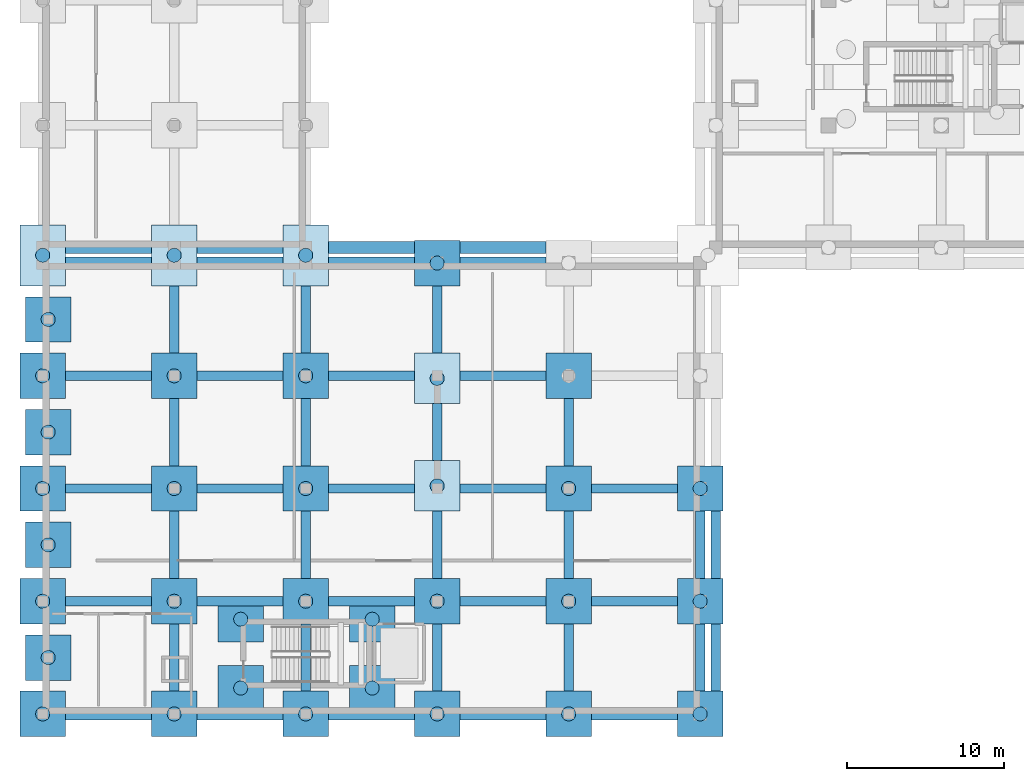
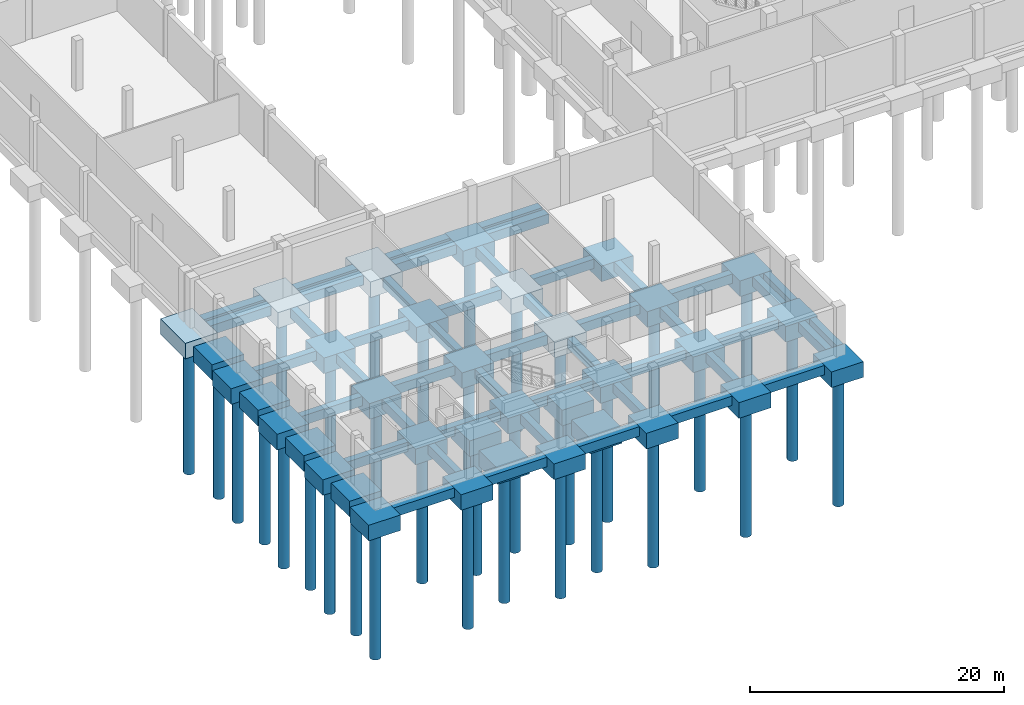
# One storey, part 1 of 29: 81 footings, 34 piles.
"""IFC4 building model written with IfcOpenShell, lengths in metres."""

import ifcopenshell
import ifcopenshell.guid

model = None  # the IFC model being written
_history = None  # IfcOwnerHistory: only IFC2X3 demands one
_inside = {}  # id of a spatial element -> (the spatial element, [elements in it])
_under = {}  # id of a project, library or spatial element -> (it, [spatial elements below it])
_declared = {}  # id of a project -> (the project, [libraries it declares])
_typed = {}  # id of a type object -> (the type object, [elements of that type])
_made_of = {}  # id of a material, layer set ... -> (it, [elements and type objects made of it])


def new_model(schema):
    """Start an empty IFC model of exactly this schema.

    Asked for "IFC4X3", IfcOpenShell would pick the latest addendum, in which some entities
    have other attributes; the version numbers below select the first issue.
    IFC2X3 requires an IfcOwnerHistory on every rooted entity: one is made here for all.
    """
    global model, _history
    if schema == "IFC4X3":
        model = ifcopenshell.file(schema_version=(4, 3, 0, 0))
    else:
        model = ifcopenshell.file(schema=schema)
    _inside.clear()
    _under.clear()
    _declared.clear()
    _typed.clear()
    _made_of.clear()
    _history = None
    if model.schema == "IFC2X3":
        org = make("IfcOrganization", Name="unknown")
        user = make(
            "IfcPersonAndOrganization",
            ThePerson=make("IfcPerson", FamilyName="unknown"),
            TheOrganization=org,
        )
        app = make(
            "IfcApplication",
            ApplicationDeveloper=org,
            Version="unknown",
            ApplicationFullName="unknown",
            ApplicationIdentifier="unknown",
        )
        _history = make(
            "IfcOwnerHistory",
            OwningUser=user,
            OwningApplication=app,
            ChangeAction="ADDED",
            CreationDate=0,
        )
    return model


def make(cls, **values):
    """One entity of the class cls with the attributes given. An attribute that is None is left unset."""
    return model.create_entity(
        cls, **{name: value for name, value in values.items() if value is not None}
    )


def rooted(cls, **values):
    """An entity with a GlobalId (a new one), such as an element, a storey or a relation."""
    return make(cls, GlobalId=ifcopenshell.guid.new(), OwnerHistory=_history, **values)


def si_unit(unit_type, name, prefix=None):
    """IfcSIUnit, for example si_unit("LENGTHUNIT", "METRE", prefix="MILLI")."""
    return make("IfcSIUnit", UnitType=unit_type, Prefix=prefix, Name=name)


def assignment(units):
    """IfcUnitAssignment: the units of a project."""
    return None if units is None else make("IfcUnitAssignment", Units=units)


def point(xyz):
    """IfcCartesianPoint."""
    return None if xyz is None else make("IfcCartesianPoint", Coordinates=xyz)


def direction(xyz):
    """IfcDirection."""
    return None if xyz is None else make("IfcDirection", DirectionRatios=xyz)


def frame(location, z_axis=None, x_axis=None):
    """IfcAxis2Placement3D, a coordinate frame: its origin and axes. An axis left out is left unset."""
    return make(
        "IfcAxis2Placement3D",
        Location=point(location),
        Axis=direction(z_axis),
        RefDirection=direction(x_axis),
    )


def frame_2d(location, x_axis=None):
    """IfcAxis2Placement2D, a coordinate frame in the plane: its origin and x axis."""
    return make(
        "IfcAxis2Placement2D", Location=point(location), RefDirection=direction(x_axis)
    )


def origin():
    """The frame at (0, 0, 0) with its axes left unset."""
    return frame((0.0, 0.0, 0.0))


def origin_2d():
    """The frame at (0, 0) in the plane with its x axis left unset."""
    return frame_2d((0.0, 0.0))


def place(relative_to, where):
    """IfcLocalPlacement: puts the frame where relative to a parent placement (None: the world)."""
    return make(
        "IfcLocalPlacement", PlacementRelTo=relative_to, RelativePlacement=where
    )


def context(
    kind, dimensions, precision=None, world=None, true_north=None, identifier=None
):
    """IfcGeometricRepresentationContext, for example the 3D "Model" context."""
    return make(
        "IfcGeometricRepresentationContext",
        ContextIdentifier=identifier,
        ContextType=kind,
        CoordinateSpaceDimension=dimensions,
        Precision=precision,
        WorldCoordinateSystem=world,
        TrueNorth=true_north,
    )


def subcontext(parent, identifier, kind, view, scale=None):
    """IfcGeometricRepresentationSubContext, for example "Body" below "Model"."""
    return make(
        "IfcGeometricRepresentationSubContext",
        ContextIdentifier=identifier,
        ContextType=kind,
        ParentContext=parent,
        TargetScale=scale,
        TargetView=view,
    )


def project(units=None, contexts=None):
    """IfcProject with its units and contexts."""
    return rooted(
        "IfcProject",
        Name="project",
        RepresentationContexts=contexts,
        UnitsInContext=assignment(units),
    )


def spatial(cls, under=None, at=None, **own):
    """A site, building, storey or space (cls), placed at a placement, below another one or the project."""
    s = rooted(cls, ObjectPlacement=at, **own)
    if under is not None:
        _under.setdefault(under.id(), (under, []))[1].append(s)
    return s


def polyline(points):
    """IfcPolyline through the points."""
    return make("IfcPolyline", Points=[point(p) for p in points])


def profile(cls, at=None, kind="AREA", **sizes):
    """A parametric profile (cls). Its sizes go by their IFC names, for example OverallWidth=200.0."""
    return make(cls, ProfileType=kind, Position=at, **sizes)


def rectangle(**sizes):
    """IfcRectangleProfileDef."""
    return profile("IfcRectangleProfileDef", **sizes)


def circle(**sizes):
    """IfcCircleProfileDef."""
    return profile("IfcCircleProfileDef", **sizes)


def outline(outer, holes=None, kind="AREA"):
    """IfcArbitraryClosedProfileDef: a profile drawn as a closed curve; with holes, ...WithVoids."""
    if holes is None:
        return make("IfcArbitraryClosedProfileDef", ProfileType=kind, OuterCurve=outer)
    return make(
        "IfcArbitraryProfileDefWithVoids",
        ProfileType=kind,
        OuterCurve=outer,
        InnerCurves=holes,
    )


def extrude(swept, where, along, depth):
    """IfcExtrudedAreaSolid: the profile swept, set in the frame where, extruded along a direction by depth."""
    return make(
        "IfcExtrudedAreaSolid",
        SweptArea=swept,
        Position=where,
        ExtrudedDirection=direction(along),
        Depth=depth,
    )


def shape(context_of_items, identifier, shape_type, items):
    """IfcShapeRepresentation: the items that make up one representation, for example the "Body"."""
    return make(
        "IfcShapeRepresentation",
        ContextOfItems=context_of_items,
        RepresentationIdentifier=identifier,
        RepresentationType=shape_type,
        Items=items,
    )


def material(Name=None, Category=None):
    """IfcMaterial."""
    return make("IfcMaterial", Name=Name, Category=Category)


def material_profile(
    of_material, cross_section, Name=None, Category=None, Priority=None
):
    """IfcMaterialProfile: a cross section and its material."""
    return make(
        "IfcMaterialProfile",
        Name=Name,
        Material=of_material,
        Profile=cross_section,
        Priority=Priority,
        Category=Category,
    )


def profile_set(profiles, Name=None, composite=None):
    """IfcMaterialProfileSet."""
    return make(
        "IfcMaterialProfileSet",
        Name=Name,
        MaterialProfiles=profiles,
        CompositeProfile=composite,
    )


def made_of(thing, what):
    """Note that an element or type object is made of a material, layer set ...; save() writes the relation."""
    if what is not None:
        _made_of.setdefault(what.id(), (what, []))[1].append(thing)
    return thing


def type_object(cls, material=None, **own):
    """A type object (cls), such as IfcWallType, which elements share."""
    return made_of(rooted(cls, **own), material)


def element(
    cls,
    number,
    at=None,
    inside=None,
    cuts=None,
    type_object=None,
    material=None,
    context=None,
    identifier="Body",
    shape_type=None,
    held_by="IfcProductDefinitionShape",
    body=None,
    shapes=None,
    **own,
):
    """One element of the class cls, such as IfcWall. Its Tag is "e" and its number.

    at: its placement. inside: the storey or other place that contains it. cuts: it is an
    opening in that element (IfcRelVoidsElement). A single representation is given by context,
    identifier, shape_type and body (its items); several are given by shapes. held_by: the class
    of the entity that holds the representations. save() writes the other relations.
    """
    e = rooted(cls, Tag="e%d" % number, ObjectPlacement=at, **own)
    if body is not None:
        shapes = [shape(context, identifier, shape_type, body)]
    if shapes is not None:
        e.Representation = make(held_by, Representations=shapes)
    if inside is not None:
        _inside.setdefault(inside.id(), (inside, []))[1].append(e)
    if cuts is not None:
        rooted(
            "IfcRelVoidsElement", RelatingBuildingElement=cuts, RelatedOpeningElement=e
        )
    if type_object is not None:
        _typed.setdefault(type_object.id(), (type_object, []))[1].append(e)
    return made_of(e, material)


def aggregate(whole, parts):
    """IfcRelAggregates: a whole, such as a stair, and the parts it consists of."""
    return rooted("IfcRelAggregates", RelatingObject=whole, RelatedObjects=parts)


def save(model, path):
    """Write the relations noted so far, then the file.

    IfcRelAggregates (storeys below a building ...), IfcRelContainedInSpatialStructure (elements
    in a storey), IfcRelDefinesByType, IfcRelAssociatesMaterial and IfcRelDeclares: one each for
    every whole, place, type object, material and project.
    """
    for whole, parts in _under.values():
        aggregate(whole, parts)
    for where, things in _inside.values():
        rooted(
            "IfcRelContainedInSpatialStructure",
            RelatedElements=things,
            RelatingStructure=where,
        )
    for kind, things in _typed.values():
        rooted("IfcRelDefinesByType", RelatedObjects=things, RelatingType=kind)
    for what, things in _made_of.values():
        rooted("IfcRelAssociatesMaterial", RelatedObjects=things, RelatingMaterial=what)
    for by, libraries in _declared.values():
        rooted("IfcRelDeclares", RelatingContext=by, RelatedDefinitions=libraries)
    model.write(path)


model = new_model("IFC4")

# Units and contexts
model_context = context("Model", 3, precision=1e-05, world=origin(), true_north=direction((0.0, 1.0)))
body_context = subcontext(model_context, "Body", "Model", "MODEL_VIEW")
ifc_project = project(units=[si_unit("LENGTHUNIT", "METRE"), si_unit("AREAUNIT", "SQUARE_METRE"), si_unit("VOLUMEUNIT", "CUBIC_METRE"), si_unit("PLANEANGLEUNIT", "RADIAN"), si_unit("MASSUNIT", "GRAM", prefix="KILO")], contexts=[model_context])

# Site, building, storey
site_placement = place(None, origin())
site = spatial("IfcSite", under=ifc_project, at=site_placement, CompositionType="ELEMENT")
building_placement = place(site_placement, origin())
building = spatial("IfcBuilding", under=site, at=building_placement, Name="Kelarvand Opera House", CompositionType="ELEMENT")
storey_placement = place(building_placement, frame((0.0, 0.0, -9.60009765625)))
storey = spatial("IfcBuildingStorey", under=building, at=storey_placement, Name="B2", CompositionType="ELEMENT", Elevation=-9.60009765625)

# Piles
ifc_material = material(Name="Concrete C40/50", Category="concrete")
ifc_material_profile = material_profile(ifc_material, circle(Radius=0.449951171875, at=origin_2d()), Name="BP 900", Category="concrete")
ifc_profile_set = profile_set([ifc_material_profile], Name="Concrete C40/50")
pile_type = type_object("IfcPileType", Name="Bored Pile 900 Concrete C40/50", PredefinedType="BORED", material=ifc_profile_set)
for number, where, z_axis, x_axis, name in (
    (1, (9.0, 9.0, -1.7998046875), (0.0, 0.0, -1.0), (1.0, 0.0, 0.0), "V4 Bored Pile 1"),
    (2, (17.39990234375, 9.0, -1.7998046875), (0.0, 0.0, -1.0), (1.0, 0.0, 0.0), "V4 Bored Pile 2"),
    (3, (25.800048828125, 9.0, -1.7998046875), (0.0, 0.0, -1.0), (1.0, 0.0, 0.0), "V4 Bored Pile 3"),
    (4, (34.199951171875, 9.0, -1.7998046875), (0.0, 0.0, -1.0), (1.0, 0.0, 0.0), "V4 Bored Pile 4"),
    (5, (42.60009765625, 9.0, -1.7998046875), (0.0, 0.0, -1.0), (1.0, 0.0, 0.0), "V4 Bored Pile 5"),
    (6, (51.0, 9.0, -1.7998046875), (0.0, 0.0, -1.0), (1.0, 0.0, 0.0), "V4 Bored Pile 6"),
    (7, (21.64990234375, 10.64990234375, -1.7998046875), (0.0, 0.0, -1.0), (1.0, 0.0, 0.0), "V4 Bored Pile 25"),
    (8, (30.050048828125, 10.64990234375, -1.7998046875), (0.0, 0.0, -1.0), (1.0, 0.0, 0.0), "V4 Bored Pile 26"),
    (9, (9.35009765625, 12.60009765625, -1.7998046875), (0.0, 0.0, -1.0), (1.0, 0.0, 0.0), "V4 Bored Pile 27"),
    (10, (21.64990234375, 15.050048828125, -1.7998046875), (0.0, 0.0, -1.0), (1.0, 0.0, 0.0), "V4 Bored Pile 28"),
    (11, (30.050048828125, 15.050048828125, -1.7998046875), (0.0, 0.0, -1.0), (1.0, 0.0, 0.0), "V4 Bored Pile 29"),
    (12, (9.0, 16.199951171875, -1.7998046875), (0.0, 0.0, -1.0), (1.0, 0.0, 0.0), "V4 Bored Pile 33"),
    (13, (17.39990234375, 16.199951171875, -1.7998046875), (0.0, 0.0, -1.0), (1.0, 0.0, 0.0), "V4 Bored Pile 34"),
    (14, (25.800048828125, 16.199951171875, -1.7998046875), (0.0, 0.0, -1.0), (1.0, 0.0, 0.0), "V4 Bored Pile 35"),
    (15, (34.199951171875, 16.199951171875, -1.7998046875), (0.0, 0.0, -1.0), (1.0, 0.0, 0.0), "V4 Bored Pile 36"),
    (16, (42.60009765625, 16.199951171875, -1.7998046875), (0.0, 0.0, -1.0), (1.0, 0.0, 0.0), "V4 Bored Pile 37"),
    (17, (51.0, 16.199951171875, -1.7998046875), (0.0, 0.0, -1.0), (1.0, 0.0, 0.0), "V4 Bored Pile 38"),
    (18, (9.35009765625, 19.800048828125, -1.7998046875), (0.0, 0.0, -1.0), (1.0, 0.0, 0.0), "V4 Bored Pile 50"),
    (19, (9.0, 23.39990234375, -1.7998046875), (0.0, 0.0, -1.0), (1.0, 0.0, 0.0), "V4 Bored Pile 51"),
    (20, (17.39990234375, 23.39990234375, -1.7998046875), (0.0, 0.0, -1.0), (1.0, 0.0, 0.0), "V4 Bored Pile 52"),
    (21, (25.800048828125, 23.39990234375, -1.7998046875), (0.0, 0.0, -1.0), (1.0, 0.0, 0.0), "V4 Bored Pile 53"),
    (22, (34.199951171875, 23.56494140625, -1.7998046875), (0.0, 0.0, -1.0), (1.0, 0.0, 0.0), "V4 Bored Pile 54"),
    (23, (42.60009765625, 23.39990234375, -1.7998046875), (0.0, 0.0, -1.0), (1.0, 0.0, 0.0), "V4 Bored Pile 55"),
    (24, (51.0, 23.39990234375, -1.7998046875), (0.0, 0.0, -1.0), (1.0, 0.0, 0.0), "V4 Bored Pile 56"),
    (25, (9.35009765625, 27.0, -1.7998046875), (0.0, 0.0, -1.0), (1.0, 0.0, 0.0), "V4 Bored Pile 70"),
    (26, (34.199951171875, 30.43505859375, -1.7998046875), (0.0, 0.0, -1.0), (1.0, 0.0, 0.0), "V4 Bored Pile 71"),
    (27, (9.0, 30.60009765625, -1.7998046875), (0.0, 0.0, -1.0), (1.0, 0.0, 0.0), "V4 Bored Pile 73"),
    (28, (17.39990234375, 30.60009765625, -1.7998046875), (0.0, 0.0, -1.0), (1.0, 0.0, 0.0), "V4 Bored Pile 74"),
    (29, (25.800048828125, 30.60009765625, -1.7998046875), (0.0, 0.0, -1.0), (1.0, 0.0, 0.0), "V4 Bored Pile 75"),
    (30, (9.35009765625, 34.199951171875, -1.7998046875), (0.0, 0.0, -1.0), (1.0, 0.0, 0.0), "V4 Bored Pile 90"),
    (31, (9.0, 38.300048828125, -1.7998046875), (0.0, 0.0, -1.0), (1.0, 0.0, 0.0), "V4 Bored Pile 91"),
    (32, (17.39990234375, 38.300048828125, -1.7998046875), (0.0, 0.0, -1.0), (1.0, 0.0, 0.0), "V4 Bored Pile 92"),
    (33, (25.800048828125, 38.300048828125, -1.7998046875), (0.0, 0.0, -1.0), (1.0, 0.0, 0.0), "V4 Bored Pile 93"),
    (34, (34.199951171875, 37.800048828125, -1.7998046875), (0.0, 0.0, -1.0), (1.0, 0.0, 0.0), "V4 Bored Pile 94"),
):
    element("IfcPile", number, at=place(storey_placement, frame(where, z_axis=z_axis, x_axis=x_axis)), inside=storey, type_object=pile_type, Name=name, PredefinedType="BORED", context=body_context, shape_type="SweptSolid", body=[
        extrude(circle(Radius=0.449951171875, at=origin_2d()), origin(), (0.0, 0.0, 1.0), 12.60009765625),
    ])

# Footings
footing_type_1 = type_object("IfcFootingType", Name="Ground Tie Beam 600x900 Concrete C40/50", PredefinedType="FOOTING_BEAM", material=ifc_material)
footing_1_placement = place(storey_placement, frame((0.0, 0.0, -1.2998046875)))
element("IfcFooting", 35, at=footing_1_placement, inside=storey, type_object=footing_type_1, Name="Ground Beam 18", PredefinedType="FOOTING_BEAM", context=body_context, shape_type="SweptSolid", body=[
    extrude(outline(polyline([(10.449951171875, 15.89990234375), (15.949951171875, 15.89990234375), (15.949951171875, 16.5), (10.449951171875, 16.5), (10.449951171875, 15.89990234375)])), origin(), (0.0, 0.0, 1.0), 0.89990234375),
])
footing_2_placement = place(storey_placement, frame((0.0, 0.0, -1.2998046875)))
element("IfcFooting", 36, at=footing_2_placement, inside=storey, type_object=footing_type_1, Name="Ground Beam 19", PredefinedType="FOOTING_BEAM", context=body_context, shape_type="SweptSolid", body=[
    extrude(outline(polyline([(18.85009765625, 15.89990234375), (24.35009765625, 15.89990234375), (24.35009765625, 16.5), (18.85009765625, 16.5), (18.85009765625, 15.89990234375)])), origin(), (0.0, 0.0, 1.0), 0.89990234375),
])
footing_3_placement = place(storey_placement, frame((0.0, 0.0, -1.2998046875)))
element("IfcFooting", 37, at=footing_3_placement, inside=storey, type_object=footing_type_1, Name="Ground Beam 20", PredefinedType="FOOTING_BEAM", context=body_context, shape_type="SweptSolid", body=[
    extrude(outline(polyline([(27.25, 15.89990234375), (32.75, 15.89990234375), (32.75, 16.5), (27.25, 16.5), (27.25, 15.89990234375)])), origin(), (0.0, 0.0, 1.0), 0.89990234375),
])
footing_4_placement = place(storey_placement, frame((0.0, 0.0, -1.2998046875)))
element("IfcFooting", 38, at=footing_4_placement, inside=storey, type_object=footing_type_1, Name="Ground Beam 21", PredefinedType="FOOTING_BEAM", context=body_context, shape_type="SweptSolid", body=[
    extrude(outline(polyline([(35.64990234375, 15.89990234375), (41.14990234375, 15.89990234375), (41.14990234375, 16.5), (35.64990234375, 16.5), (35.64990234375, 15.89990234375)])), origin(), (0.0, 0.0, 1.0), 0.89990234375),
])
footing_5_placement = place(storey_placement, frame((0.0, 0.0, -1.2998046875)))
element("IfcFooting", 39, at=footing_5_placement, inside=storey, type_object=footing_type_1, Name="Ground Beam 22", PredefinedType="FOOTING_BEAM", context=body_context, shape_type="SweptSolid", body=[
    extrude(outline(polyline([(44.050048828125, 15.89990234375), (49.550048828125, 15.89990234375), (49.550048828125, 16.5), (44.050048828125, 16.5), (44.050048828125, 15.89990234375)])), origin(), (0.0, 0.0, 1.0), 0.89990234375),
])
footing_6_placement = place(storey_placement, frame((0.0, 0.0, -1.2998046875)))
element("IfcFooting", 40, at=footing_6_placement, inside=storey, type_object=footing_type_1, Name="Ground Beam 35", PredefinedType="FOOTING_BEAM", context=body_context, shape_type="SweptSolid", body=[
    extrude(outline(polyline([(10.449951171875, 23.10009765625), (15.949951171875, 23.10009765625), (15.949951171875, 23.699951171875), (10.449951171875, 23.699951171875), (10.449951171875, 23.10009765625)])), origin(), (0.0, 0.0, 1.0), 0.89990234375),
])
footing_7_placement = place(storey_placement, frame((0.0, 0.0, -1.2998046875)))
element("IfcFooting", 41, at=footing_7_placement, inside=storey, type_object=footing_type_1, Name="Ground Beam 36", PredefinedType="FOOTING_BEAM", context=body_context, shape_type="SweptSolid", body=[
    extrude(outline(polyline([(18.85009765625, 23.10009765625), (24.35009765625, 23.10009765625), (24.35009765625, 23.699951171875), (18.85009765625, 23.699951171875), (18.85009765625, 23.10009765625)])), origin(), (0.0, 0.0, 1.0), 0.89990234375),
])
footing_8_placement = place(storey_placement, frame((0.0, 0.0, -1.2998046875)))
element("IfcFooting", 42, at=footing_8_placement, inside=storey, type_object=footing_type_1, Name="Ground Beam 37", PredefinedType="FOOTING_BEAM", context=body_context, shape_type="SweptSolid", body=[
    extrude(outline(polyline([(27.25, 23.10009765625), (32.75, 23.10009765625), (32.75, 23.699951171875), (27.25, 23.699951171875), (27.25, 23.10009765625)])), origin(), (0.0, 0.0, 1.0), 0.89990234375),
])
footing_9_placement = place(storey_placement, frame((0.0, 0.0, -1.2998046875)))
element("IfcFooting", 43, at=footing_9_placement, inside=storey, type_object=footing_type_1, Name="Ground Beam 38", PredefinedType="FOOTING_BEAM", context=body_context, shape_type="SweptSolid", body=[
    extrude(outline(polyline([(35.64990234375, 23.10009765625), (41.14990234375, 23.10009765625), (41.14990234375, 23.699951171875), (35.64990234375, 23.699951171875), (35.64990234375, 23.10009765625)])), origin(), (0.0, 0.0, 1.0), 0.89990234375),
])
footing_10_placement = place(storey_placement, frame((0.0, 0.0, -1.2998046875)))
element("IfcFooting", 44, at=footing_10_placement, inside=storey, type_object=footing_type_1, Name="Ground Beam 39", PredefinedType="FOOTING_BEAM", context=body_context, shape_type="SweptSolid", body=[
    extrude(outline(polyline([(44.050048828125, 23.10009765625), (49.550048828125, 23.10009765625), (49.550048828125, 23.699951171875), (44.050048828125, 23.699951171875), (44.050048828125, 23.10009765625)])), origin(), (0.0, 0.0, 1.0), 0.89990234375),
])
footing_11_placement = place(storey_placement, frame((0.0, 0.0, -1.2998046875)))
element("IfcFooting", 45, at=footing_11_placement, inside=storey, type_object=footing_type_1, Name="Ground Beam 52", PredefinedType="FOOTING_BEAM", context=body_context, shape_type="SweptSolid", body=[
    extrude(outline(polyline([(10.449951171875, 30.300048828125), (15.949951171875, 30.300048828125), (15.949951171875, 30.89990234375), (10.449951171875, 30.89990234375), (10.449951171875, 30.300048828125)])), origin(), (0.0, 0.0, 1.0), 0.89990234375),
])
footing_12_placement = place(storey_placement, frame((0.0, 0.0, -1.2998046875)))
element("IfcFooting", 46, at=footing_12_placement, inside=storey, type_object=footing_type_1, Name="Ground Beam 53", PredefinedType="FOOTING_BEAM", context=body_context, shape_type="SweptSolid", body=[
    extrude(outline(polyline([(18.85009765625, 30.300048828125), (24.35009765625, 30.300048828125), (24.35009765625, 30.89990234375), (18.85009765625, 30.89990234375), (18.85009765625, 30.300048828125)])), origin(), (0.0, 0.0, 1.0), 0.89990234375),
])
footing_13_placement = place(storey_placement, frame((0.0, 0.0, -1.2998046875)))
element("IfcFooting", 47, at=footing_13_placement, inside=storey, type_object=footing_type_1, Name="Ground Beam 54", PredefinedType="FOOTING_BEAM", context=body_context, shape_type="SweptSolid", body=[
    extrude(outline(polyline([(27.25, 30.300048828125), (32.75, 30.300048828125), (32.75, 30.89990234375), (27.25, 30.89990234375), (27.25, 30.300048828125)])), origin(), (0.0, 0.0, 1.0), 0.89990234375),
])
footing_14_placement = place(storey_placement, frame((0.0, 0.0, -1.2998046875)))
element("IfcFooting", 48, at=footing_14_placement, inside=storey, type_object=footing_type_1, Name="Ground Beam 55", PredefinedType="FOOTING_BEAM", context=body_context, shape_type="SweptSolid", body=[
    extrude(outline(polyline([(35.64990234375, 30.300048828125), (41.14990234375, 30.300048828125), (41.14990234375, 30.89990234375), (35.64990234375, 30.89990234375), (35.64990234375, 30.300048828125)])), origin(), (0.0, 0.0, 1.0), 0.89990234375),
])
footing_15_placement = place(storey_placement, frame((0.0, 0.0, -1.2998046875)))
element("IfcFooting", 49, at=footing_15_placement, inside=storey, type_object=footing_type_1, Name="Ground Beam 277", PredefinedType="FOOTING_BEAM", context=body_context, shape_type="SweptSolid", body=[
    extrude(outline(polyline([(17.10009765625, 10.449951171875), (17.699951171875, 10.449951171875), (17.699951171875, 14.75), (17.10009765625, 14.75), (17.10009765625, 10.449951171875)])), origin(), (0.0, 0.0, 1.0), 0.89990234375),
])
footing_16_placement = place(storey_placement, frame((0.0, 0.0, -1.2998046875)))
element("IfcFooting", 50, at=footing_16_placement, inside=storey, type_object=footing_type_1, Name="Ground Beam 278", PredefinedType="FOOTING_BEAM", context=body_context, shape_type="SweptSolid", body=[
    extrude(outline(polyline([(17.10009765625, 17.64990234375), (17.699951171875, 17.64990234375), (17.699951171875, 21.949951171875), (17.10009765625, 21.949951171875), (17.10009765625, 17.64990234375)])), origin(), (0.0, 0.0, 1.0), 0.89990234375),
])
footing_17_placement = place(storey_placement, frame((0.0, 0.0, -1.2998046875)))
element("IfcFooting", 51, at=footing_17_placement, inside=storey, type_object=footing_type_1, Name="Ground Beam 279", PredefinedType="FOOTING_BEAM", context=body_context, shape_type="SweptSolid", body=[
    extrude(outline(polyline([(17.10009765625, 24.85009765625), (17.699951171875, 24.85009765625), (17.699951171875, 29.14990234375), (17.10009765625, 29.14990234375), (17.10009765625, 24.85009765625)])), origin(), (0.0, 0.0, 1.0), 0.89990234375),
])
footing_18_placement = place(storey_placement, frame((0.0, 0.0, -1.2998046875)))
element("IfcFooting", 52, at=footing_18_placement, inside=storey, type_object=footing_type_1, Name="Ground Beam 280", PredefinedType="FOOTING_BEAM", context=body_context, shape_type="SweptSolid", body=[
    extrude(outline(polyline([(17.10009765625, 32.050048828125), (17.699951171875, 32.050048828125), (17.699951171875, 36.35009765625), (17.10009765625, 36.35009765625), (17.10009765625, 32.050048828125)])), origin(), (0.0, 0.0, 1.0), 0.89990234375),
])
footing_19_placement = place(storey_placement, frame((0.0, 0.0, -1.2998046875)))
element("IfcFooting", 53, at=footing_19_placement, inside=storey, type_object=footing_type_1, Name="Ground Beam 291", PredefinedType="FOOTING_BEAM", context=body_context, shape_type="SweptSolid", body=[
    extrude(outline(polyline([(25.5, 10.449951171875), (26.10009765625, 10.449951171875), (26.10009765625, 14.75), (25.5, 14.75), (25.5, 10.449951171875)])), origin(), (0.0, 0.0, 1.0), 0.89990234375),
])
footing_20_placement = place(storey_placement, frame((0.0, 0.0, -1.2998046875)))
element("IfcFooting", 54, at=footing_20_placement, inside=storey, type_object=footing_type_1, Name="Ground Beam 292", PredefinedType="FOOTING_BEAM", context=body_context, shape_type="SweptSolid", body=[
    extrude(outline(polyline([(25.5, 17.64990234375), (26.10009765625, 17.64990234375), (26.10009765625, 21.949951171875), (25.5, 21.949951171875), (25.5, 17.64990234375)])), origin(), (0.0, 0.0, 1.0), 0.89990234375),
])
footing_21_placement = place(storey_placement, frame((0.0, 0.0, -1.2998046875)))
element("IfcFooting", 55, at=footing_21_placement, inside=storey, type_object=footing_type_1, Name="Ground Beam 293", PredefinedType="FOOTING_BEAM", context=body_context, shape_type="SweptSolid", body=[
    extrude(outline(polyline([(25.5, 24.85009765625), (26.10009765625, 24.85009765625), (26.10009765625, 29.14990234375), (25.5, 29.14990234375), (25.5, 24.85009765625)])), origin(), (0.0, 0.0, 1.0), 0.89990234375),
])
footing_22_placement = place(storey_placement, frame((0.0, 0.0, -1.2998046875)))
element("IfcFooting", 56, at=footing_22_placement, inside=storey, type_object=footing_type_1, Name="Ground Beam 294", PredefinedType="FOOTING_BEAM", context=body_context, shape_type="SweptSolid", body=[
    extrude(outline(polyline([(25.5, 32.050048828125), (26.10009765625, 32.050048828125), (26.10009765625, 36.35009765625), (25.5, 36.35009765625), (25.5, 32.050048828125)])), origin(), (0.0, 0.0, 1.0), 0.89990234375),
])
footing_23_placement = place(storey_placement, frame((0.0, 0.0, -1.2998046875)))
element("IfcFooting", 57, at=footing_23_placement, inside=storey, type_object=footing_type_1, Name="Ground Beam 305", PredefinedType="FOOTING_BEAM", context=body_context, shape_type="SweptSolid", body=[
    extrude(outline(polyline([(33.89990234375, 10.449951171875), (34.5, 10.449951171875), (34.5, 14.75), (33.89990234375, 14.75), (33.89990234375, 10.449951171875)])), origin(), (0.0, 0.0, 1.0), 0.89990234375),
])
footing_24_placement = place(storey_placement, frame((0.0, 0.0, -1.2998046875)))
element("IfcFooting", 58, at=footing_24_placement, inside=storey, type_object=footing_type_1, Name="Ground Beam 306", PredefinedType="FOOTING_BEAM", context=body_context, shape_type="SweptSolid", body=[
    extrude(outline(polyline([(33.89990234375, 17.64990234375), (34.5, 17.64990234375), (34.5, 21.949951171875), (33.89990234375, 21.949951171875), (33.89990234375, 17.64990234375)])), origin(), (0.0, 0.0, 1.0), 0.89990234375),
])
footing_25_placement = place(storey_placement, frame((0.0, 0.0, -1.2998046875)))
element("IfcFooting", 59, at=footing_25_placement, inside=storey, type_object=footing_type_1, Name="Ground Beam 307", PredefinedType="FOOTING_BEAM", context=body_context, shape_type="SweptSolid", body=[
    extrude(outline(polyline([(33.89990234375, 25.179931640625), (34.5, 25.179931640625), (34.5, 28.820068359375), (33.89990234375, 28.820068359375), (33.89990234375, 25.179931640625)])), origin(), (0.0, 0.0, 1.0), 0.89990234375),
])
footing_26_placement = place(storey_placement, frame((0.0, 0.0, -1.2998046875)))
element("IfcFooting", 60, at=footing_26_placement, inside=storey, type_object=footing_type_1, Name="Ground Beam 308", PredefinedType="FOOTING_BEAM", context=body_context, shape_type="SweptSolid", body=[
    extrude(outline(polyline([(33.89990234375, 32.050048828125), (34.5, 32.050048828125), (34.5, 36.35009765625), (33.89990234375, 36.35009765625), (33.89990234375, 32.050048828125)])), origin(), (0.0, 0.0, 1.0), 0.89990234375),
])
footing_27_placement = place(storey_placement, frame((0.0, 0.0, -1.2998046875)))
element("IfcFooting", 61, at=footing_27_placement, inside=storey, type_object=footing_type_1, Name="Ground Beam 313", PredefinedType="FOOTING_BEAM", context=body_context, shape_type="SweptSolid", body=[
    extrude(outline(polyline([(42.300048828125, 10.449951171875), (42.89990234375, 10.449951171875), (42.89990234375, 14.75), (42.300048828125, 14.75), (42.300048828125, 10.449951171875)])), origin(), (0.0, 0.0, 1.0), 0.89990234375),
])
footing_28_placement = place(storey_placement, frame((0.0, 0.0, -1.2998046875)))
element("IfcFooting", 62, at=footing_28_placement, inside=storey, type_object=footing_type_1, Name="Ground Beam 314", PredefinedType="FOOTING_BEAM", context=body_context, shape_type="SweptSolid", body=[
    extrude(outline(polyline([(42.300048828125, 17.64990234375), (42.89990234375, 17.64990234375), (42.89990234375, 21.949951171875), (42.300048828125, 21.949951171875), (42.300048828125, 17.64990234375)])), origin(), (0.0, 0.0, 1.0), 0.89990234375),
])
footing_29_placement = place(storey_placement, frame((0.0, 0.0, -1.2998046875)))
element("IfcFooting", 63, at=footing_29_placement, inside=storey, type_object=footing_type_1, Name="Ground Beam 315", PredefinedType="FOOTING_BEAM", context=body_context, shape_type="SweptSolid", body=[
    extrude(outline(polyline([(42.300048828125, 24.85009765625), (42.89990234375, 24.85009765625), (42.89990234375, 29.14990234375), (42.300048828125, 29.14990234375), (42.300048828125, 24.85009765625)])), origin(), (0.0, 0.0, 1.0), 0.89990234375),
])
footing_30_placement = place(storey_placement, frame((0.0, 0.0, -1.2998046875)))
element("IfcFooting", 64, at=footing_30_placement, inside=storey, type_object=footing_type_1, Name="Ground Beam 321", PredefinedType="FOOTING_BEAM", context=body_context, shape_type="SweptSolid", body=[
    extrude(outline(polyline([(50.699951171875, 10.449951171875), (51.300048828125, 10.449951171875), (51.300048828125, 14.75), (50.699951171875, 14.75), (50.699951171875, 10.449951171875)])), origin(), (0.0, 0.0, 1.0), 0.89990234375),
])
footing_31_placement = place(storey_placement, frame((0.0, 0.0, -1.2998046875)))
element("IfcFooting", 65, at=footing_31_placement, inside=storey, type_object=footing_type_1, Name="Ground Beam 322", PredefinedType="FOOTING_BEAM", context=body_context, shape_type="SweptSolid", body=[
    extrude(outline(polyline([(50.699951171875, 17.64990234375), (51.300048828125, 17.64990234375), (51.300048828125, 21.949951171875), (50.699951171875, 21.949951171875), (50.699951171875, 17.64990234375)])), origin(), (0.0, 0.0, 1.0), 0.89990234375),
])
footing_32_placement = place(storey_placement, frame((0.0, 0.0, -1.2998046875)))
element("IfcFooting", 66, at=footing_32_placement, inside=storey, type_object=footing_type_1, Name="Ground Beam 335", PredefinedType="FOOTING_BEAM", context=body_context, shape_type="SweptSolid", body=[
    extrude(outline(polyline([(51.699951171875, 10.449951171875), (52.300048828125, 10.449951171875), (52.300048828125, 14.75), (51.699951171875, 14.75), (51.699951171875, 10.449951171875)])), origin(), (0.0, 0.0, 1.0), 0.89990234375),
])
footing_33_placement = place(storey_placement, frame((0.0, 0.0, -1.2998046875)))
element("IfcFooting", 67, at=footing_33_placement, inside=storey, type_object=footing_type_1, Name="Ground Beam 336", PredefinedType="FOOTING_BEAM", context=body_context, shape_type="SweptSolid", body=[
    extrude(outline(polyline([(51.699951171875, 17.64990234375), (52.300048828125, 17.64990234375), (52.300048828125, 21.949951171875), (51.699951171875, 21.949951171875), (51.699951171875, 17.64990234375)])), origin(), (0.0, 0.0, 1.0), 0.89990234375),
])
footing_type_2 = type_object("IfcFootingType", Name="Perimeter Strip Footing 750x900 Concrete C40/50", PredefinedType="STRIP_FOOTING", material=ifc_material)
footing_34_placement = place(storey_placement, frame((0.0, 0.0, -1.2998046875)))
element("IfcFooting", 68, at=footing_34_placement, inside=storey, type_object=footing_type_2, Name="Ground Beam 1", PredefinedType="STRIP_FOOTING", context=body_context, shape_type="SweptSolid", body=[
    extrude(outline(polyline([(10.449951171875, 8.625), (15.949951171875, 8.625), (15.949951171875, 9.375), (10.449951171875, 9.375), (10.449951171875, 8.625)])), origin(), (0.0, 0.0, 1.0), 0.89990234375),
])
footing_35_placement = place(storey_placement, frame((0.0, 0.0, -1.2998046875)))
element("IfcFooting", 69, at=footing_35_placement, inside=storey, type_object=footing_type_2, Name="Ground Beam 2", PredefinedType="STRIP_FOOTING", context=body_context, shape_type="SweptSolid", body=[
    extrude(outline(polyline([(18.85009765625, 8.625), (24.35009765625, 8.625), (24.35009765625, 9.375), (18.85009765625, 9.375), (18.85009765625, 8.625)])), origin(), (0.0, 0.0, 1.0), 0.89990234375),
])
footing_36_placement = place(storey_placement, frame((0.0, 0.0, -1.2998046875)))
element("IfcFooting", 70, at=footing_36_placement, inside=storey, type_object=footing_type_2, Name="Ground Beam 3", PredefinedType="STRIP_FOOTING", context=body_context, shape_type="SweptSolid", body=[
    extrude(outline(polyline([(27.25, 8.625), (32.75, 8.625), (32.75, 9.375), (27.25, 9.375), (27.25, 8.625)])), origin(), (0.0, 0.0, 1.0), 0.89990234375),
])
footing_37_placement = place(storey_placement, frame((0.0, 0.0, -1.2998046875)))
element("IfcFooting", 71, at=footing_37_placement, inside=storey, type_object=footing_type_2, Name="Ground Beam 4", PredefinedType="STRIP_FOOTING", context=body_context, shape_type="SweptSolid", body=[
    extrude(outline(polyline([(35.64990234375, 8.625), (41.14990234375, 8.625), (41.14990234375, 9.375), (35.64990234375, 9.375), (35.64990234375, 8.625)])), origin(), (0.0, 0.0, 1.0), 0.89990234375),
])
footing_38_placement = place(storey_placement, frame((0.0, 0.0, -1.2998046875)))
element("IfcFooting", 72, at=footing_38_placement, inside=storey, type_object=footing_type_2, Name="Ground Beam 5", PredefinedType="STRIP_FOOTING", context=body_context, shape_type="SweptSolid", body=[
    extrude(outline(polyline([(44.050048828125, 8.625), (49.550048828125, 8.625), (49.550048828125, 9.375), (44.050048828125, 9.375), (44.050048828125, 8.625)])), origin(), (0.0, 0.0, 1.0), 0.89990234375),
])
footing_39_placement = place(storey_placement, frame((0.0, 0.0, -1.2998046875)))
element("IfcFooting", 73, at=footing_39_placement, inside=storey, type_object=footing_type_2, Name="Ground Beam 69", PredefinedType="STRIP_FOOTING", context=body_context, shape_type="SweptSolid", body=[
    extrude(outline(polyline([(10.449951171875, 37.425048828125), (15.949951171875, 37.425048828125), (15.949951171875, 38.175048828125), (10.449951171875, 38.175048828125), (10.449951171875, 37.425048828125)])), origin(), (0.0, 0.0, 1.0), 0.89990234375),
])
footing_40_placement = place(storey_placement, frame((0.0, 0.0, -1.2998046875)))
element("IfcFooting", 74, at=footing_40_placement, inside=storey, type_object=footing_type_2, Name="Ground Beam 70", PredefinedType="STRIP_FOOTING", context=body_context, shape_type="SweptSolid", body=[
    extrude(outline(polyline([(18.85009765625, 37.425048828125), (24.35009765625, 37.425048828125), (24.35009765625, 38.175048828125), (18.85009765625, 38.175048828125), (18.85009765625, 37.425048828125)])), origin(), (0.0, 0.0, 1.0), 0.89990234375),
])
footing_41_placement = place(storey_placement, frame((0.0, 0.0, -1.2998046875)))
element("IfcFooting", 75, at=footing_41_placement, inside=storey, type_object=footing_type_2, Name="Ground Beam 71", PredefinedType="STRIP_FOOTING", context=body_context, shape_type="SweptSolid", body=[
    extrude(outline(polyline([(27.25, 37.425048828125), (32.75, 37.425048828125), (32.75, 38.175048828125), (27.25, 38.175048828125), (27.25, 37.425048828125)])), origin(), (0.0, 0.0, 1.0), 0.89990234375),
])
footing_42_placement = place(storey_placement, frame((0.0, 0.0, -1.2998046875)))
element("IfcFooting", 76, at=footing_42_placement, inside=storey, type_object=footing_type_2, Name="Ground Beam 72", PredefinedType="STRIP_FOOTING", context=body_context, shape_type="SweptSolid", body=[
    extrude(outline(polyline([(35.64990234375, 37.425048828125), (41.14990234375, 37.425048828125), (41.14990234375, 38.175048828125), (35.64990234375, 38.175048828125), (35.64990234375, 37.425048828125)])), origin(), (0.0, 0.0, 1.0), 0.89990234375),
])
footing_43_placement = place(storey_placement, frame((0.0, 0.0, -1.2998046875)))
element("IfcFooting", 77, at=footing_43_placement, inside=storey, type_object=footing_type_2, Name="Ground Beam 91", PredefinedType="STRIP_FOOTING", context=body_context, shape_type="SweptSolid", body=[
    extrude(outline(polyline([(10.449951171875, 38.425048828125), (15.949951171875, 38.425048828125), (15.949951171875, 39.175048828125), (10.449951171875, 39.175048828125), (10.449951171875, 38.425048828125)])), origin(), (0.0, 0.0, 1.0), 0.89990234375),
])
footing_44_placement = place(storey_placement, frame((0.0, 0.0, -1.2998046875)))
element("IfcFooting", 78, at=footing_44_placement, inside=storey, type_object=footing_type_2, Name="Ground Beam 92", PredefinedType="STRIP_FOOTING", context=body_context, shape_type="SweptSolid", body=[
    extrude(outline(polyline([(18.85009765625, 38.425048828125), (24.35009765625, 38.425048828125), (24.35009765625, 39.175048828125), (18.85009765625, 39.175048828125), (18.85009765625, 38.425048828125)])), origin(), (0.0, 0.0, 1.0), 0.89990234375),
])
footing_45_placement = place(storey_placement, frame((0.0, 0.0, -1.2998046875)))
element("IfcFooting", 79, at=footing_45_placement, inside=storey, type_object=footing_type_2, Name="Ground Beam 93", PredefinedType="STRIP_FOOTING", context=body_context, shape_type="SweptSolid", body=[
    extrude(outline(polyline([(27.25, 38.425048828125), (32.75, 38.425048828125), (32.75, 39.175048828125), (27.25, 39.175048828125), (27.25, 38.425048828125)])), origin(), (0.0, 0.0, 1.0), 0.89990234375),
])
footing_46_placement = place(storey_placement, frame((0.0, 0.0, -1.2998046875)))
element("IfcFooting", 80, at=footing_46_placement, inside=storey, type_object=footing_type_2, Name="Ground Beam 94", PredefinedType="STRIP_FOOTING", context=body_context, shape_type="SweptSolid", body=[
    extrude(outline(polyline([(35.64990234375, 38.425048828125), (41.14990234375, 38.425048828125), (41.14990234375, 39.175048828125), (35.64990234375, 39.175048828125), (35.64990234375, 38.425048828125)])), origin(), (0.0, 0.0, 1.0), 0.89990234375),
])
footing_type_3 = type_object("IfcFootingType", Name="Pile Cap 2900x2900x1500 PC-01", PredefinedType="PILE_CAP", material=ifc_material)
for number, where, z_axis, x_axis, name in (
    (81, (9.0, 9.0, -1.89990234375), (0.0, 0.0, 1.0), (1.0, 0.0, 0.0), "V4 Pile Cap PC-01 (1)"),
    (82, (17.39990234375, 9.0, -1.89990234375), (0.0, 0.0, 1.0), (1.0, 0.0, 0.0), "V4 Pile Cap PC-01 (2)"),
    (83, (25.800048828125, 9.0, -1.89990234375), (0.0, 0.0, 1.0), (1.0, 0.0, 0.0), "V4 Pile Cap PC-01 (3)"),
    (84, (34.199951171875, 9.0, -1.89990234375), (0.0, 0.0, 1.0), (1.0, 0.0, 0.0), "V4 Pile Cap PC-01 (4)"),
    (85, (42.60009765625, 9.0, -1.89990234375), (0.0, 0.0, 1.0), (1.0, 0.0, 0.0), "V4 Pile Cap PC-01 (5)"),
    (86, (51.0, 9.0, -1.89990234375), (0.0, 0.0, 1.0), (1.0, 0.0, 0.0), "V4 Pile Cap PC-01 (6)"),
    (87, (21.64990234375, 10.64990234375, -1.89990234375), (0.0, 0.0, 1.0), (1.0, 0.0, 0.0), "V4 Pile Cap PC-01 (20)"),
    (88, (30.050048828125, 10.64990234375, -1.89990234375), (0.0, 0.0, 1.0), (1.0, 0.0, 0.0), "V4 Pile Cap PC-01 (21)"),
    (89, (9.35009765625, 12.60009765625, -1.89990234375), (0.0, 0.0, 1.0), (1.0, 0.0, 0.0), "V4 Pile Cap PC-01 (22)"),
    (90, (21.64990234375, 15.050048828125, -1.89990234375), (0.0, 0.0, 1.0), (1.0, 0.0, 0.0), "V4 Pile Cap PC-01 (23)"),
    (91, (30.050048828125, 15.050048828125, -1.89990234375), (0.0, 0.0, 1.0), (1.0, 0.0, 0.0), "V4 Pile Cap PC-01 (24)"),
    (92, (9.0, 16.199951171875, -1.89990234375), (0.0, 0.0, 1.0), (1.0, 0.0, 0.0), "V4 Pile Cap PC-01 (27)"),
    (93, (17.39990234375, 16.199951171875, -1.89990234375), (0.0, 0.0, 1.0), (1.0, 0.0, 0.0), "V4 Pile Cap PC-01 (28)"),
    (94, (25.800048828125, 16.199951171875, -1.89990234375), (0.0, 0.0, 1.0), (1.0, 0.0, 0.0), "V4 Pile Cap PC-01 (29)"),
    (95, (34.199951171875, 16.199951171875, -1.89990234375), (0.0, 0.0, 1.0), (1.0, 0.0, 0.0), "V4 Pile Cap PC-01 (30)"),
    (96, (42.60009765625, 16.199951171875, -1.89990234375), (0.0, 0.0, 1.0), (1.0, 0.0, 0.0), "V4 Pile Cap PC-01 (31)"),
    (97, (51.0, 16.199951171875, -1.89990234375), (0.0, 0.0, 1.0), (1.0, 0.0, 0.0), "V4 Pile Cap PC-01 (32)"),
    (98, (9.35009765625, 19.800048828125, -1.89990234375), (0.0, 0.0, 1.0), (1.0, 0.0, 0.0), "V4 Pile Cap PC-01 (44)"),
    (99, (9.0, 23.39990234375, -1.89990234375), (0.0, 0.0, 1.0), (1.0, 0.0, 0.0), "V4 Pile Cap PC-01 (45)"),
    (100, (17.39990234375, 23.39990234375, -1.89990234375), (0.0, 0.0, 1.0), (1.0, 0.0, 0.0), "V4 Pile Cap PC-01 (46)"),
    (101, (25.800048828125, 23.39990234375, -1.89990234375), (0.0, 0.0, 1.0), (1.0, 0.0, 0.0), "V4 Pile Cap PC-01 (47)"),
    (102, (42.60009765625, 23.39990234375, -1.89990234375), (0.0, 0.0, 1.0), (1.0, 0.0, 0.0), "V4 Pile Cap PC-01 (49)"),
    (103, (51.0, 23.39990234375, -1.89990234375), (0.0, 0.0, 1.0), (1.0, 0.0, 0.0), "V4 Pile Cap PC-01 (50)"),
    (104, (9.35009765625, 27.0, -1.89990234375), (0.0, 0.0, 1.0), (1.0, 0.0, 0.0), "V4 Pile Cap PC-01 (64)"),
    (105, (9.0, 30.60009765625, -1.89990234375), (0.0, 0.0, 1.0), (1.0, 0.0, 0.0), "V4 Pile Cap PC-01 (67)"),
    (106, (17.39990234375, 30.60009765625, -1.89990234375), (0.0, 0.0, 1.0), (1.0, 0.0, 0.0), "V4 Pile Cap PC-01 (68)"),
    (107, (25.800048828125, 30.60009765625, -1.89990234375), (0.0, 0.0, 1.0), (1.0, 0.0, 0.0), "V4 Pile Cap PC-01 (69)"),
    (108, (42.60009765625, 30.60009765625, -1.89990234375), (0.0, 0.0, 1.0), (1.0, 0.0, 0.0), "V4 Pile Cap PC-01 (70)"),
    (109, (9.35009765625, 34.199951171875, -1.89990234375), (0.0, 0.0, 1.0), (1.0, 0.0, 0.0), "V4 Pile Cap PC-01 (84)"),
    (110, (34.199951171875, 37.800048828125, -1.89990234375), (0.0, 0.0, 1.0), (1.0, 0.0, 0.0), "V4 Pile Cap PC-01 (88)"),
):
    element("IfcFooting", number, at=place(storey_placement, frame(where, z_axis=z_axis, x_axis=x_axis)), inside=storey, type_object=footing_type_3, Name=name, PredefinedType="PILE_CAP", context=body_context, shape_type="SweptSolid", body=[
        extrude(rectangle(XDim=2.89990234375, YDim=2.89990234375, at=origin_2d()), origin(), (0.0, 0.0, 1.0), 1.5),
    ])
footing_type_4 = type_object("IfcFootingType", Name="Pile Cap 2900x3230x1500 PC-09", PredefinedType="PILE_CAP", material=ifc_material)
for number, where, z_axis, x_axis, name in (
    (111, (34.199951171875, 23.56494140625, -1.89990234375), (0.0, 0.0, 1.0), (1.0, 0.0, 0.0), "V4 Pile Cap PC-09 (48)"),
    (112, (34.199951171875, 30.43505859375, -1.89990234375), (0.0, 0.0, 1.0), (1.0, 0.0, 0.0), "V4 Pile Cap PC-09 (65)"),
):
    element("IfcFooting", number, at=place(storey_placement, frame(where, z_axis=z_axis, x_axis=x_axis)), inside=storey, type_object=footing_type_4, Name=name, PredefinedType="PILE_CAP", context=body_context, shape_type="SweptSolid", body=[
        extrude(rectangle(XDim=2.89990234375, YDim=3.22998046875, at=origin_2d()), origin(), (0.0, 0.0, 1.0), 1.5),
    ])
footing_type_5 = type_object("IfcFootingType", Name="Pile Cap 2900x3900x1500 PC-10", PredefinedType="PILE_CAP", material=ifc_material)
for number, where, z_axis, x_axis, name in (
    (113, (9.0, 38.300048828125, -1.89990234375), (0.0, 0.0, 1.0), (1.0, 0.0, 0.0), "V4 Pile Cap PC-10 (85)"),
    (114, (17.39990234375, 38.300048828125, -1.89990234375), (0.0, 0.0, 1.0), (1.0, 0.0, 0.0), "V4 Pile Cap PC-10 (86)"),
    (115, (25.800048828125, 38.300048828125, -1.89990234375), (0.0, 0.0, 1.0), (1.0, 0.0, 0.0), "V4 Pile Cap PC-10 (87)"),
):
    element("IfcFooting", number, at=place(storey_placement, frame(where, z_axis=z_axis, x_axis=x_axis)), inside=storey, type_object=footing_type_5, Name=name, PredefinedType="PILE_CAP", context=body_context, shape_type="SweptSolid", body=[
        extrude(rectangle(XDim=2.89990234375, YDim=3.89990234375, at=origin_2d()), origin(), (0.0, 0.0, 1.0), 1.5),
    ])

save(model, "model.ifc")
